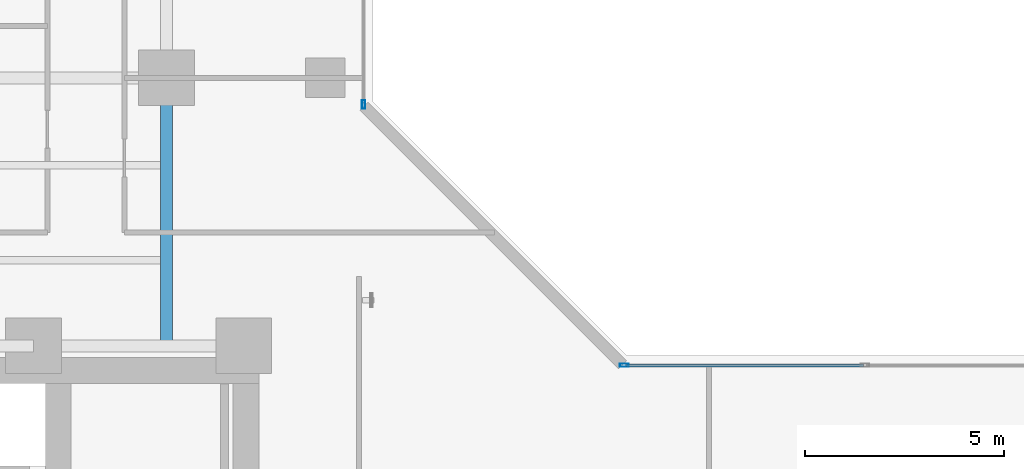
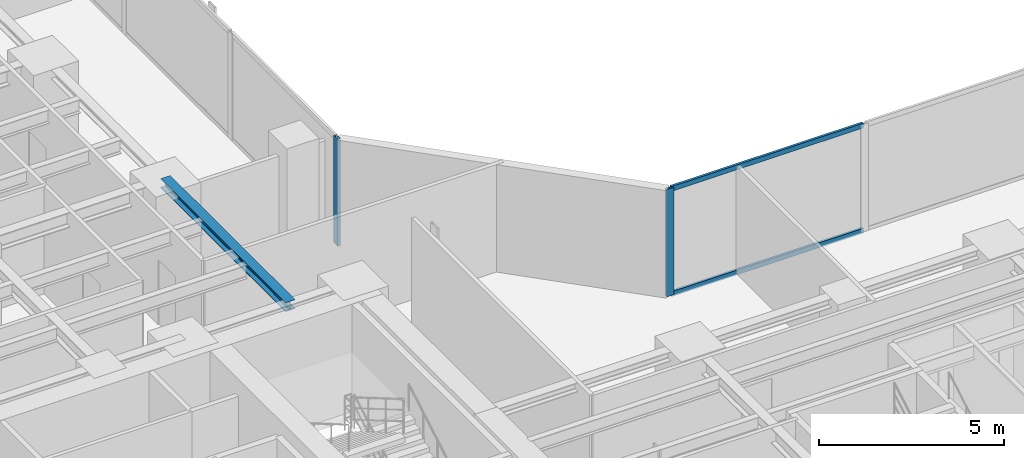
# One storey, part 9 of 24: 4 members, 1 beam, 2 elements without a shape of their own.
"""IFC4 building model written with IfcOpenShell, lengths in metres."""

from ifc_helpers import new_model, si_unit, direction, frame, origin, origin_with_axes, origin_2d, place, context, subcontext, project, spatial, hollow_rectangle, i_section, extrude, source, transform, mapped, material, layer, layer_set, material_profile, profile_set, type_object, element, aggregate, save


model = new_model("IFC4")

# Units and contexts
model_context = context("Model", 3, precision=1e-05, world=origin(), true_north=direction((0.0, 1.0)))
body_context = subcontext(model_context, "Body", "Model", "MODEL_VIEW")
ifc_project = project(units=[si_unit("LENGTHUNIT", "METRE"), si_unit("AREAUNIT", "SQUARE_METRE"), si_unit("VOLUMEUNIT", "CUBIC_METRE"), si_unit("PLANEANGLEUNIT", "RADIAN"), si_unit("MASSUNIT", "GRAM", prefix="KILO")], contexts=[model_context])

# Site, building, storey
site_placement = place(None, origin())
site = spatial("IfcSite", under=ifc_project, at=site_placement, CompositionType="ELEMENT")
building_placement = place(site_placement, origin())
building = spatial("IfcBuilding", under=site, at=building_placement, Name="Kolvaren Waterfront Exchange", CompositionType="ELEMENT")
storey_placement = place(building_placement, frame((0.0, 0.0, 95.5)))
storey = spatial("IfcBuildingStorey", under=building, at=storey_placement, Name="L24", CompositionType="ELEMENT", Elevation=95.5)

# Beam
ifc_material_1 = material(Name="Steel S355", Category="steel")
ifc_material_profile_1 = material_profile(ifc_material_1, i_section(OverallWidth=0.300048828125, OverallDepth=0.300048828125, WebThickness=0.010986328125, FlangeThickness=0.01904296875, FilletRadius=0.027099609375, at=origin_2d()), Name="HEB300")
ifc_profile_set_1 = profile_set([ifc_material_profile_1], Name="Steel S355")
beam_type = type_object("IfcBeamType", Name="STR-BM-HEB300", PredefinedType="SPANDREL", material=ifc_profile_set_1)
beam_placement = place(storey_placement, frame((18.800048828125, 24.449951171875, 3.389892578125), z_axis=(0.0, 1.0, 0.0), x_axis=(-1.0, 0.0, 0.0)))
element("IfcBeam", 1, at=beam_placement, inside=storey, type_object=beam_type, Name="L24 north-arm edge beam 1", PredefinedType="SPANDREL", context=body_context, shape_type="SweptSolid", body=[
    extrude(i_section(OverallWidth=0.300048828125, OverallDepth=0.300048828125, WebThickness=0.010986328125, FlangeThickness=0.01904296875, FilletRadius=0.027099609375, at=origin_2d()), origin(), (0.0, 0.0, 1.0), 6.75),
])

# Curtain wall, member
ifc_material_2 = material(Name="Anodised bronze aluminium 6063-T6", Category="aluminium")
ifc_layer = layer(ifc_material_2, 0.219970703125, Name="Anodised bronze aluminium 6063-T6")
ifc_layer_set = layer_set([ifc_layer], Name="Anodised bronze aluminium 6063-T6")
curtain_wall_type = type_object("IfcCurtainWallType", Name="ARC-CW-SYS1", PredefinedType="USERDEFINED", material=ifc_layer_set)
curtain_wall_1_placement = place(storey_placement, origin())
curtain_wall_1 = element("IfcCurtainWall", 2, at=curtain_wall_1_placement, inside=storey, type_object=curtain_wall_type, Name="L24 stick curtain wall CW1 (CW-L24-NE)", ObjectType="STICK CURTAIN WALL", PredefinedType="USERDEFINED")
ifc_material_3 = material(Name="Anodised aluminium 6063-T6", Category="aluminium")
ifc_material_profile_2 = material_profile(ifc_material_3, hollow_rectangle(XDim=0.080078125, YDim=0.219970703125, WallThickness=0.0048828125, at=origin_2d()), Name="ALU-MUL-220x80x5")
ifc_profile_set_2 = profile_set([ifc_material_profile_2], Name="Anodised aluminium 6063-T6")
member_type_1 = type_object("IfcMemberType", Name="ARC-CWM-220", PredefinedType="MULLION", material=ifc_profile_set_2)
shared_shape_1 = source(origin_with_axes(), body_context, "Body", "SweptSolid", [
    extrude(hollow_rectangle(XDim=0.080078125, YDim=0.219970703125, WallThickness=0.0048828125, at=origin_2d()), origin(), (0.0, 0.0, 1.0), 3.5400390625),
])
member_1_placement = place(storey_placement, frame((23.760009765625, 30.530029296875, 0.0), z_axis=(0.0, 0.0, 1.0), x_axis=(-1.0, 0.0, 0.0)))
member_1 = element("IfcMember", 3, at=member_1_placement, type_object=member_type_1, Name="CW1 mullion 1", PredefinedType="MULLION", context=body_context, shape_type="MappedRepresentation", body=[
    mapped(shared_shape_1, transform((0.0, 0.0, 0.0), x_axis=(1.0, 0.0, 0.0), y_axis=(0.0, 1.0, 0.0), z_axis=(0.0, 0.0, 1.0), scale=1.0)),
])
aggregate(curtain_wall_1, [member_1])

# Curtain wall, members
curtain_wall_2_placement = place(storey_placement, origin())
curtain_wall_2 = element("IfcCurtainWall", 4, at=curtain_wall_2_placement, inside=storey, type_object=curtain_wall_type, Name="L24 stick curtain wall CW1 (CW-L24-EN)", ObjectType="STICK CURTAIN WALL", PredefinedType="USERDEFINED")
member_2_placement = place(storey_placement, frame((30.330078125, 23.9599609375, 0.0), z_axis=(0.0, 0.0, 1.0), x_axis=(0.0, 1.0, 0.0)))
member_2 = element("IfcMember", 5, at=member_2_placement, type_object=member_type_1, Name="CW1 mullion 1", PredefinedType="MULLION", context=body_context, shape_type="MappedRepresentation", body=[
    mapped(shared_shape_1, transform((0.0, 0.0, 0.0), x_axis=(1.0, 0.0, 0.0), y_axis=(0.0, 1.0, 0.0), z_axis=(0.0, 0.0, 1.0), scale=1.0)),
])
ifc_material_profile_3 = material_profile(ifc_material_3, hollow_rectangle(XDim=0.074951171875, YDim=0.159912109375, WallThickness=0.00439453125, at=origin_2d()), Name="ALU-TRN-160x75x4.5")
ifc_profile_set_3 = profile_set([ifc_material_profile_3], Name="Anodised aluminium 6063-T6")
member_type_2 = type_object("IfcMemberType", Name="ARC-CWT-160", PredefinedType="USERDEFINED", material=ifc_profile_set_3)
shared_shape_2 = source(origin_with_axes(), body_context, "Body", "SweptSolid", [
    extrude(hollow_rectangle(XDim=0.074951171875, YDim=0.159912109375, WallThickness=0.00439453125, at=origin_2d()), origin(), (0.0, 0.0, 1.0), 5.982421875),
])
member_3_placement = place(storey_placement, frame((30.3701171875, 23.9599609375, 0.03759765625), z_axis=(1.0, 0.0, 0.0), x_axis=(0.0, 1.0, 0.0)))
member_3 = element("IfcMember", 6, at=member_3_placement, type_object=member_type_2, Name="CW1 transom 1.1", ObjectType="TRANSOM", PredefinedType="USERDEFINED", context=body_context, shape_type="MappedRepresentation", body=[
    mapped(shared_shape_2, transform((0.0, 0.0, 0.0), x_axis=(1.0, 0.0, 0.0), y_axis=(0.0, 1.0, 0.0), z_axis=(0.0, 0.0, 1.0), scale=1.0)),
])
member_4_placement = place(storey_placement, frame((30.3701171875, 23.9599609375, 3.50244140625), z_axis=(1.0, 0.0, 0.0), x_axis=(0.0, 1.0, 0.0)))
member_4 = element("IfcMember", 7, at=member_4_placement, type_object=member_type_2, Name="CW1 transom 1.2", ObjectType="TRANSOM", PredefinedType="USERDEFINED", context=body_context, shape_type="MappedRepresentation", body=[
    mapped(shared_shape_2, transform((0.0, 0.0, 0.0), x_axis=(1.0, 0.0, 0.0), y_axis=(0.0, 1.0, 0.0), z_axis=(0.0, 0.0, 1.0), scale=1.0)),
])
aggregate(curtain_wall_2, [member_2, member_3, member_4])

save(model, "model.ifc")
